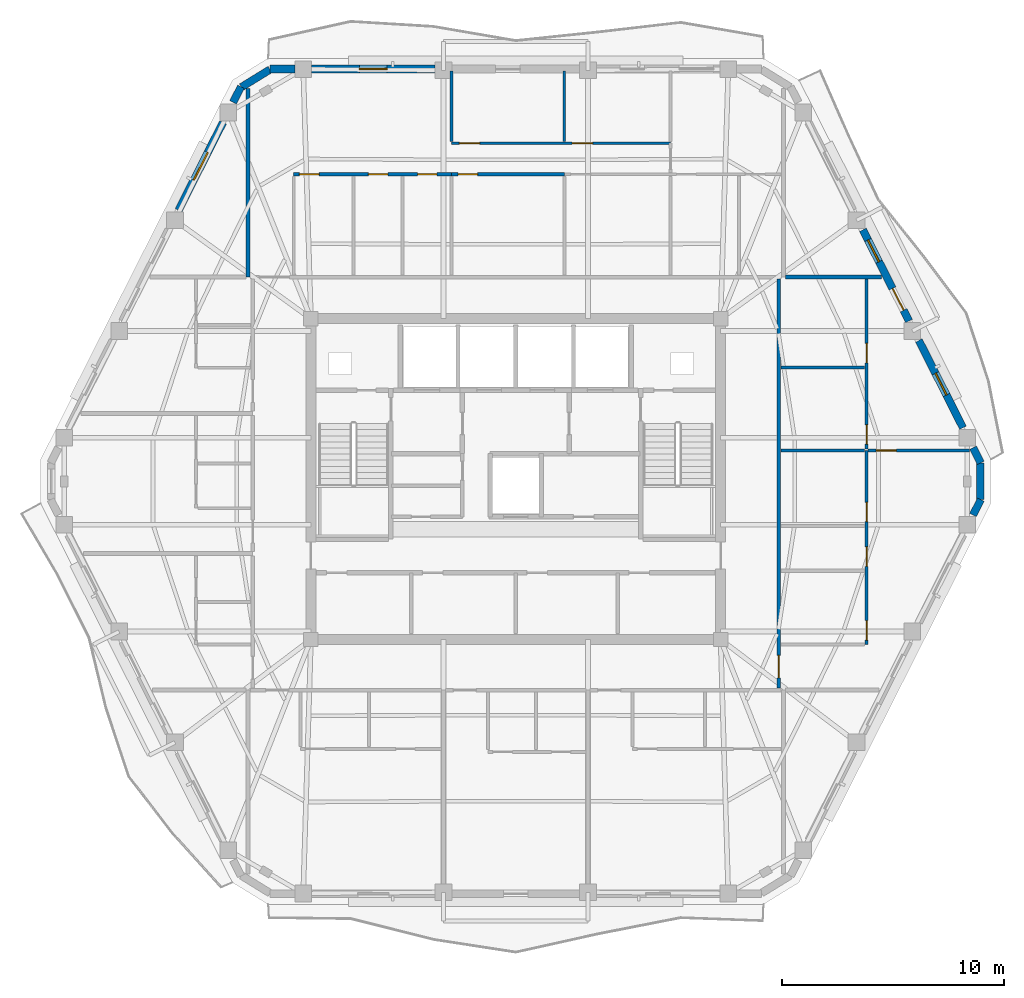
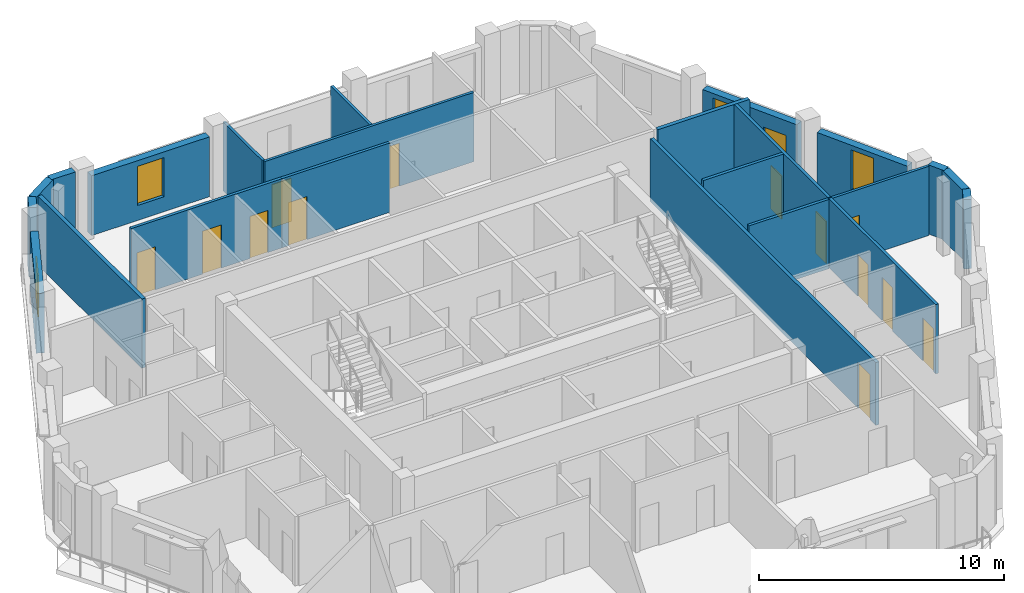
# One storey, part 7 of 11: 23 walls, 14 doors, 4 windows, 18 openings.
"""IFC4 building model written with IfcOpenShell, lengths in metres."""

from ifc_helpers import new_model, si_unit, direction, frame, frame_2d, origin, place, context, subcontext, project, spatial, rectangle, extrude, material, layer, layer_set, type_object, element, fill, save


model = new_model("IFC4")

# Units and contexts
model_context = context("Model", 3, precision=1e-05, world=origin(), true_north=direction((0.0, 1.0)))
body_context = subcontext(model_context, "Body", "Model", "MODEL_VIEW")
ifc_project = project(units=[si_unit("LENGTHUNIT", "METRE"), si_unit("AREAUNIT", "SQUARE_METRE"), si_unit("VOLUMEUNIT", "CUBIC_METRE"), si_unit("PLANEANGLEUNIT", "RADIAN"), si_unit("MASSUNIT", "GRAM", prefix="KILO")], contexts=[model_context])

# Site, building, storey
site_placement = place(None, origin())
site = spatial("IfcSite", under=ifc_project, at=site_placement, CompositionType="ELEMENT")
building_placement = place(site_placement, origin())
building = spatial("IfcBuilding", under=site, at=building_placement, Name="Cinnabar Lancet Tower", CompositionType="ELEMENT")
storey_placement = place(building_placement, frame((0.0, 0.0, 245.25)))
storey = spatial("IfcBuildingStorey", under=building, at=storey_placement, Name="L65", CompositionType="ELEMENT", Elevation=245.25)

# Wall, opening, door
ifc_material_1 = material(Name="Acoustic twin-stud gypsum partition", Category="gypsum")
ifc_layer_1 = layer(ifc_material_1, 0.159912109375)
ifc_layer_set_1 = layer_set([ifc_layer_1], Name="Acoustic twin-stud gypsum partition")
wall_type_1 = type_object("IfcWallType", Name="ARC-WL-CORR-160", PredefinedType="PARTITIONING", material=ifc_layer_set_1)
wall_1_placement = place(storey_placement, frame((44.25, 16.4951171875, 0.0), z_axis=(0.0, 0.0, 1.0), x_axis=(0.0, 1.0, 0.0)))
wall_1 = element("IfcWall", 1, at=wall_1_placement, inside=storey, type_object=wall_type_1, Name="UW-L65-E01-COR", PredefinedType="PARTITIONING", context=body_context, shape_type="SweptSolid", body=[
    extrude(rectangle(XDim=18.409912109375, YDim=0.159912109375, at=frame_2d((9.205078125, 0.0))), origin(), (0.0, 0.0, 1.0), 3.136962890625),
])
opening_1_placement = place(wall_1_placement, frame((0.449951171875, 0.0, 0.0)))
opening_1 = element("IfcOpeningElement", 2, at=opening_1_placement, cuts=wall_1, Name="Opening UD-01", PredefinedType="OPENING", context=body_context, shape_type="SweptSolid", body=[
    extrude(rectangle(XDim=1.02001953125, YDim=2.25, at=frame_2d((0.510009765625, 1.125))), frame((0.0, 0.08984375, 0.0), z_axis=(0.0, -1.0, 0.0), x_axis=(1.0, 0.0, 0.0)), (0.0, 0.0, 1.0), 0.179931640625),
])
ifc_material_2 = material(Name="Solid timber fire-rated apartment entrance door", Category="wood")
door_type_1 = type_object("IfcDoorType", Name="ARC-DR-UNIT", OperationType="NOTDEFINED", PredefinedType="DOOR", material=ifc_material_2)
door_1_placement = place(opening_1_placement, origin())
door_1 = element("IfcDoor", 3, at=door_1_placement, inside=storey, type_object=door_type_1, Name="DR-L65-E01-ENT", OperationType="SINGLE_SWING_LEFT", OverallHeight=2.25, OverallWidth=1.02001953125, PredefinedType="DOOR", context=body_context, shape_type="SweptSolid", body=[
    extrude(rectangle(XDim=1.02001953125, YDim=2.25, at=frame_2d((0.510009765625, 1.125))), frame((0.0, 0.02490234375, 0.0), z_axis=(0.0, -1.0, 0.0), x_axis=(1.0, 0.0, 0.0)), (0.0, 0.0, 1.0), 0.050048828125),
])
fill(opening_1, door_1)

# Walls
ifc_material_3 = material(Name="Fire-rated twin-frame acoustic drywall", Category="gypsum")
ifc_layer_2 = layer(ifc_material_3, 0.179931640625)
ifc_layer_set_2 = layer_set([ifc_layer_2], Name="Fire-rated twin-frame acoustic drywall")
wall_type_2 = type_object("IfcWallType", Name="ARC-WL-PARTY-180", PredefinedType="PARTITIONING", material=ifc_layer_set_2)
wall_2_placement = place(storey_placement, frame((20.35009765625, 35.0, 0.0), z_axis=(0.0, 0.0, 1.0), x_axis=(0.0, 1.0, 0.0)))
element("IfcWall", 4, at=wall_2_placement, inside=storey, type_object=wall_type_2, Name="PW-L65-NPTY-204", PredefinedType="PARTITIONING", context=body_context, shape_type="SweptSolid", body=[
    extrude(rectangle(XDim=8.48095703125, YDim=0.179931640625, at=frame_2d((4.240478515625, 0.0))), origin(), (0.0, 0.0, 1.0), 3.449951171875),
])
wall_3_placement = place(storey_placement, frame((44.544921875, 35.0, 0.0), z_axis=(0.0, 0.0, 1.0), x_axis=(1.0, 0.0, 0.0)))
element("IfcWall", 5, at=wall_3_placement, inside=storey, type_object=wall_type_2, Name="PW-L65-ENB", PredefinedType="PARTITIONING", context=body_context, shape_type="SweptSolid", body=[
    extrude(rectangle(XDim=4.322021484375, YDim=0.179931640625, at=frame_2d((2.1611328125, 0.0))), origin(), (0.0, 0.0, 1.0), 3.449951171875),
])
ifc_material_4 = material(Name="Gypsum plasterboard stud partition", Category="gypsum")
ifc_layer_3 = layer(ifc_material_4, 0.125)
ifc_layer_set_3 = layer_set([ifc_layer_3], Name="Gypsum plasterboard stud partition")
wall_type_3 = type_object("IfcWallType", Name="ARC-WL-UNIT-125", PredefinedType="PARTITIONING", material=ifc_layer_set_3)
wall_4_placement = place(storey_placement, frame((29.508056640625, 41.093994140625, 0.0), z_axis=(0.0, 0.0, 1.0), x_axis=(0.0, 1.0, 0.0)))
element("IfcWall", 6, at=wall_4_placement, inside=storey, type_object=wall_type_3, Name="UW-L65-N01-BD2W", PredefinedType="PARTITIONING", context=body_context, shape_type="SweptSolid", body=[
    extrude(rectangle(XDim=3.19091796875, YDim=0.125, at=frame_2d((1.595458984375, 0.0))), origin(), (0.0, 0.0, 1.0), 3.449951171875),
])

# Wall, openings, doors
wall_5_placement = place(storey_placement, frame((29.508056640625, 41.029052734375, 0.0), z_axis=(0.0, 0.0, 1.0), x_axis=(1.0, 0.0, 0.0)))
wall_5 = element("IfcWall", 7, at=wall_5_placement, inside=storey, type_object=wall_type_3, Name="UW-L65-N01-HLN", PredefinedType="PARTITIONING", context=body_context, shape_type="SweptSolid", body=[
    extrude(rectangle(XDim=9.862060546875, YDim=0.125, at=frame_2d((4.93115234375, 0.0))), origin(), (0.0, 0.0, 1.0), 3.449951171875),
])
opening_2_placement = place(wall_5_placement, frame((0.35009765625, 0.0, 0.0)))
opening_2 = element("IfcOpeningElement", 8, at=opening_2_placement, cuts=wall_5, Name="Opening RD-01", PredefinedType="OPENING", context=body_context, shape_type="SweptSolid", body=[
    extrude(rectangle(XDim=0.919921875, YDim=2.14990234375, at=frame_2d((0.4599609375, 1.074951171875))), frame((0.0, 0.072509765625, 0.0), z_axis=(0.0, -1.0, 0.0), x_axis=(1.0, 0.0, 0.0)), (0.0, 0.0, 1.0), 0.14501953125),
])
opening_3_placement = place(wall_5_placement, frame((5.429931640625, 0.0, 0.0)))
opening_3 = element("IfcOpeningElement", 9, at=opening_3_placement, cuts=wall_5, Name="Opening RD-01", PredefinedType="OPENING", context=body_context, shape_type="SweptSolid", body=[
    extrude(rectangle(XDim=0.919921875, YDim=2.14990234375, at=frame_2d((0.4599609375, 1.074951171875))), frame((0.0, 0.072509765625, 0.0), z_axis=(0.0, -1.0, 0.0), x_axis=(1.0, 0.0, 0.0)), (0.0, 0.0, 1.0), 0.14501953125),
])
ifc_material_5 = material(Name="Engineered timber bedroom door", Category="wood")
door_type_2 = type_object("IfcDoorType", Name="ARC-DR-ROOM", OperationType="NOTDEFINED", PredefinedType="DOOR", material=ifc_material_5)
door_2_placement = place(opening_2_placement, origin())
door_2 = element("IfcDoor", 10, at=door_2_placement, inside=storey, type_object=door_type_2, Name="DR-L65-N01-BD2", OperationType="SINGLE_SWING_RIGHT", OverallHeight=2.14990234375, OverallWidth=0.919921875, PredefinedType="DOOR", context=body_context, shape_type="SweptSolid", body=[
    extrude(rectangle(XDim=0.919921875, YDim=2.14990234375, at=frame_2d((0.4599609375, 1.074951171875))), frame((0.0, 0.02490234375, 0.0), z_axis=(0.0, -1.0, 0.0), x_axis=(1.0, 0.0, 0.0)), (0.0, 0.0, 1.0), 0.050048828125),
])
fill(opening_2, door_2)
door_3_placement = place(opening_3_placement, origin())
door_3 = element("IfcDoor", 11, at=door_3_placement, inside=storey, type_object=door_type_2, Name="DR-L65-N01-BD3", OperationType="SINGLE_SWING_LEFT", OverallHeight=2.14990234375, OverallWidth=0.919921875, PredefinedType="DOOR", context=body_context, shape_type="SweptSolid", body=[
    extrude(rectangle(XDim=0.919921875, YDim=2.14990234375, at=frame_2d((0.4599609375, 1.074951171875))), frame((0.0, 0.02490234375, 0.0), z_axis=(0.0, -1.0, 0.0), x_axis=(1.0, 0.0, 0.0)), (0.0, 0.0, 1.0), 0.050048828125),
])
fill(opening_3, door_3)

# Wall
wall_6_placement = place(storey_placement, frame((34.587890625, 41.093994140625, 0.0), z_axis=(0.0, 0.0, 1.0), x_axis=(0.0, 1.0, 0.0)))
element("IfcWall", 12, at=wall_6_placement, inside=storey, type_object=wall_type_3, Name="UW-L65-N01-MB2W", PredefinedType="PARTITIONING", context=body_context, shape_type="SweptSolid", body=[
    extrude(rectangle(XDim=3.19091796875, YDim=0.125, at=frame_2d((1.595458984375, 0.0))), origin(), (0.0, 0.0, 1.0), 3.449951171875),
])

# Wall, opening, door
wall_7_placement = place(storey_placement, frame((48.27490234375, 27.18798828125, 0.0), z_axis=(0.0, 0.0, 1.0), x_axis=(1.0, 0.0, 0.0)))
wall_7 = element("IfcWall", 13, at=wall_7_placement, inside=storey, type_object=wall_type_3, Name="UW-L65-E01-MBN", PredefinedType="PARTITIONING", context=body_context, shape_type="SweptSolid", body=[
    extrude(rectangle(XDim=4.55810546875, YDim=0.125, at=frame_2d((2.279052734375, 0.0))), origin(), (0.0, 0.0, 1.0), 3.449951171875),
])
opening_4_placement = place(wall_7_placement, frame((0.35009765625, 0.0, 0.0)))
opening_4 = element("IfcOpeningElement", 14, at=opening_4_placement, cuts=wall_7, Name="Opening RD-01", PredefinedType="OPENING", context=body_context, shape_type="SweptSolid", body=[
    extrude(rectangle(XDim=0.919921875, YDim=2.14990234375, at=frame_2d((0.4599609375, 1.074951171875))), frame((0.0, 0.072509765625, 0.0), z_axis=(0.0, -1.0, 0.0), x_axis=(1.0, 0.0, 0.0)), (0.0, 0.0, 1.0), 0.14501953125),
])
door_4_placement = place(opening_4_placement, origin())
door_4 = element("IfcDoor", 15, at=door_4_placement, inside=storey, type_object=door_type_2, Name="DR-L65-E01-MBD", OperationType="SINGLE_SWING_LEFT", OverallHeight=2.14990234375, OverallWidth=0.919921875, PredefinedType="DOOR", context=body_context, shape_type="SweptSolid", body=[
    extrude(rectangle(XDim=0.919921875, YDim=2.14990234375, at=frame_2d((0.4599609375, 1.074951171875))), frame((0.0, 0.02490234375, 0.0), z_axis=(0.0, -1.0, 0.0), x_axis=(1.0, 0.0, 0.0)), (0.0, 0.0, 1.0), 0.050048828125),
])
fill(opening_4, door_4)

# Wall, openings, doors
ifc_material_6 = material(Name="Moisture-resistant cement-board plumbing wall", Category="masonry")
ifc_layer_4 = layer(ifc_material_6, 0.139892578125)
ifc_layer_set_4 = layer_set([ifc_layer_4], Name="Moisture-resistant cement-board plumbing wall")
wall_type_4 = type_object("IfcWallType", Name="ARC-WL-WET-140", PredefinedType="PLUMBINGWALL", material=ifc_layer_set_4)
wall_8_placement = place(storey_placement, frame((22.39990234375, 39.62890625, 0.0), z_axis=(0.0, 0.0, 1.0), x_axis=(1.0, 0.0, 0.0)))
wall_8 = element("IfcWall", 16, at=wall_8_placement, inside=storey, type_object=wall_type_4, Name="UW-L65-N01-SPL", PredefinedType="PLUMBINGWALL", context=body_context, shape_type="SweptSolid", body=[
    extrude(rectangle(XDim=7.108154296875, YDim=0.139892578125, at=frame_2d((3.55419921875, 0.0))), origin(), (0.0, 0.0, 1.0), 3.449951171875),
])
opening_5_placement = place(wall_8_placement, frame((5.58203125, 0.0, 0.0)))
opening_5 = element("IfcOpeningElement", 17, at=opening_5_placement, cuts=wall_8, Name="Opening BD-01", PredefinedType="OPENING", context=body_context, shape_type="SweptSolid", body=[
    extrude(rectangle(XDim=0.860107421875, YDim=2.10009765625, at=frame_2d((0.43017578125, 1.050048828125))), frame((0.0, 0.079833984375, 0.0), z_axis=(0.0, -1.0, 0.0), x_axis=(1.0, 0.0, 0.0)), (0.0, 0.0, 1.0), 0.159912109375),
])
opening_6_placement = place(wall_8_placement, frame((0.260009765625, 0.0, 0.0)))
opening_6 = element("IfcOpeningElement", 18, at=opening_6_placement, cuts=wall_8, Name="Opening RD-02", PredefinedType="OPENING", context=body_context, shape_type="SweptSolid", body=[
    extrude(rectangle(XDim=0.8798828125, YDim=2.14990234375, at=frame_2d((0.43994140625, 1.074951171875))), frame((0.0, 0.079833984375, 0.0), z_axis=(0.0, -1.0, 0.0), x_axis=(1.0, 0.0, 0.0)), (0.0, 0.0, 1.0), 0.159912109375),
])
opening_7_placement = place(wall_8_placement, frame((3.363037109375, 0.0, 0.0)))
opening_7 = element("IfcOpeningElement", 19, at=opening_7_placement, cuts=wall_8, Name="Opening RD-02", PredefinedType="OPENING", context=body_context, shape_type="SweptSolid", body=[
    extrude(rectangle(XDim=0.8798828125, YDim=2.14990234375, at=frame_2d((0.43994140625, 1.074951171875))), frame((0.0, 0.079833984375, 0.0), z_axis=(0.0, -1.0, 0.0), x_axis=(1.0, 0.0, 0.0)), (0.0, 0.0, 1.0), 0.159912109375),
])
ifc_material_7 = material(Name="Moisture-resistant timber bathroom door", Category="wood")
door_type_3 = type_object("IfcDoorType", Name="ARC-DR-BATH", OperationType="NOTDEFINED", PredefinedType="DOOR", material=ifc_material_7)
door_5_placement = place(opening_5_placement, origin())
door_5 = element("IfcDoor", 20, at=door_5_placement, inside=storey, type_object=door_type_3, Name="DR-L65-N01-BTH", OperationType="SINGLE_SWING_RIGHT", OverallHeight=2.10009765625, OverallWidth=0.860107421875, PredefinedType="DOOR", context=body_context, shape_type="SweptSolid", body=[
    extrude(rectangle(XDim=0.860107421875, YDim=2.10009765625, at=frame_2d((0.43017578125, 1.050048828125))), frame((0.0, 0.02490234375, 0.0), z_axis=(0.0, -1.0, 0.0), x_axis=(1.0, 0.0, 0.0)), (0.0, 0.0, 1.0), 0.050048828125),
])
fill(opening_5, door_5)
ifc_material_8 = material(Name="Engineered timber study door", Category="wood")
door_type_4 = type_object("IfcDoorType", Name="ARC-DR-STUDY", OperationType="NOTDEFINED", PredefinedType="DOOR", material=ifc_material_8)
door_6_placement = place(opening_6_placement, origin())
door_6 = element("IfcDoor", 21, at=door_6_placement, inside=storey, type_object=door_type_4, Name="DR-L65-N01-KIT", OperationType="SINGLE_SWING_RIGHT", OverallHeight=2.14990234375, OverallWidth=0.8798828125, PredefinedType="DOOR", context=body_context, shape_type="SweptSolid", body=[
    extrude(rectangle(XDim=0.8798828125, YDim=2.14990234375, at=frame_2d((0.43994140625, 1.074951171875))), frame((0.0, 0.02490234375, 0.0), z_axis=(0.0, -1.0, 0.0), x_axis=(1.0, 0.0, 0.0)), (0.0, 0.0, 1.0), 0.050048828125),
])
fill(opening_6, door_6)
door_7_placement = place(opening_7_placement, origin())
door_7 = element("IfcDoor", 22, at=door_7_placement, inside=storey, type_object=door_type_4, Name="DR-L65-N01-STD", OperationType="SINGLE_SWING_LEFT", OverallHeight=2.14990234375, OverallWidth=0.8798828125, PredefinedType="DOOR", context=body_context, shape_type="SweptSolid", body=[
    extrude(rectangle(XDim=0.8798828125, YDim=2.14990234375, at=frame_2d((0.43994140625, 1.074951171875))), frame((0.0, 0.02490234375, 0.0), z_axis=(0.0, -1.0, 0.0), x_axis=(1.0, 0.0, 0.0)), (0.0, 0.0, 1.0), 0.050048828125),
])
fill(opening_7, door_7)

# Wall, opening, door
wall_9_placement = place(storey_placement, frame((29.508056640625, 39.62890625, 0.0), z_axis=(0.0, 0.0, 1.0), x_axis=(1.0, 0.0, 0.0)))
wall_9 = element("IfcWall", 23, at=wall_9_placement, inside=storey, type_object=wall_type_4, Name="UW-L65-N01-SPM", PredefinedType="PLUMBINGWALL", context=body_context, shape_type="SweptSolid", body=[
    extrude(rectangle(XDim=5.079833984375, YDim=0.139892578125, at=frame_2d((2.5400390625, 0.0))), origin(), (0.0, 0.0, 1.0), 3.449951171875),
])
opening_8_placement = place(wall_9_placement, frame((0.300048828125, 0.0, 0.0)))
opening_8 = element("IfcOpeningElement", 24, at=opening_8_placement, cuts=wall_9, Name="Opening RD-02", PredefinedType="OPENING", context=body_context, shape_type="SweptSolid", body=[
    extrude(rectangle(XDim=0.8798828125, YDim=2.14990234375, at=frame_2d((0.43994140625, 1.074951171875))), frame((0.0, 0.079833984375, 0.0), z_axis=(0.0, -1.0, 0.0), x_axis=(1.0, 0.0, 0.0)), (0.0, 0.0, 1.0), 0.159912109375),
])
door_8_placement = place(opening_8_placement, origin())
door_8 = element("IfcDoor", 25, at=door_8_placement, inside=storey, type_object=door_type_4, Name="DR-L65-N01-UTL", OperationType="SINGLE_SWING_LEFT", OverallHeight=2.14990234375, OverallWidth=0.8798828125, PredefinedType="DOOR", context=body_context, shape_type="SweptSolid", body=[
    extrude(rectangle(XDim=0.8798828125, YDim=2.14990234375, at=frame_2d((0.43994140625, 1.074951171875))), frame((0.0, 0.02490234375, 0.0), z_axis=(0.0, -1.0, 0.0), x_axis=(1.0, 0.0, 0.0)), (0.0, 0.0, 1.0), 0.050048828125),
])
fill(opening_8, door_8)

# Wall, openings, doors
wall_10_placement = place(storey_placement, frame((48.199951171875, 18.449951171875, 0.0), z_axis=(0.0, 0.0, 1.0), x_axis=(0.0, 1.0, 0.0)))
wall_10 = element("IfcWall", 26, at=wall_10_placement, inside=storey, type_object=wall_type_4, Name="UW-L65-E01-SPL", PredefinedType="PLUMBINGWALL", context=body_context, shape_type="SweptSolid", body=[
    extrude(rectangle(XDim=8.738037109375, YDim=0.139892578125, at=frame_2d((4.369140625, 0.0))), origin(), (0.0, 0.0, 1.0), 3.449951171875),
])
opening_9_placement = place(wall_10_placement, frame((0.199951171875, 0.0, 0.0)))
opening_9 = element("IfcOpeningElement", 27, at=opening_9_placement, cuts=wall_10, Name="Opening RD-02", PredefinedType="OPENING", context=body_context, shape_type="SweptSolid", body=[
    extrude(rectangle(XDim=0.8798828125, YDim=2.14990234375, at=frame_2d((0.43994140625, 1.074951171875))), frame((0.0, 0.079833984375, 0.0), z_axis=(0.0, -1.0, 0.0), x_axis=(1.0, 0.0, 0.0)), (0.0, 0.0, 1.0), 0.159912109375),
])
opening_10_placement = place(wall_10_placement, frame((3.52001953125, 0.0, 0.0)))
opening_10 = element("IfcOpeningElement", 28, at=opening_10_placement, cuts=wall_10, Name="Opening RD-02", PredefinedType="OPENING", context=body_context, shape_type="SweptSolid", body=[
    extrude(rectangle(XDim=0.8798828125, YDim=2.14990234375, at=frame_2d((0.43994140625, 1.074951171875))), frame((0.0, 0.079833984375, 0.0), z_axis=(0.0, -1.0, 0.0), x_axis=(1.0, 0.0, 0.0)), (0.0, 0.0, 1.0), 0.159912109375),
])
opening_11_placement = place(wall_10_placement, frame((5.5380859375, 0.0, 0.0)))
opening_11 = element("IfcOpeningElement", 29, at=opening_11_placement, cuts=wall_10, Name="Opening BD-01", PredefinedType="OPENING", context=body_context, shape_type="SweptSolid", body=[
    extrude(rectangle(XDim=0.860107421875, YDim=2.10009765625, at=frame_2d((0.43017578125, 1.050048828125))), frame((0.0, 0.079833984375, 0.0), z_axis=(0.0, -1.0, 0.0), x_axis=(1.0, 0.0, 0.0)), (0.0, 0.0, 1.0), 0.159912109375),
])
door_9_placement = place(opening_11_placement, origin())
door_9 = element("IfcDoor", 30, at=door_9_placement, inside=storey, type_object=door_type_3, Name="DR-L65-E01-BTH", OperationType="SINGLE_SWING_RIGHT", OverallHeight=2.10009765625, OverallWidth=0.860107421875, PredefinedType="DOOR", context=body_context, shape_type="SweptSolid", body=[
    extrude(rectangle(XDim=0.860107421875, YDim=2.10009765625, at=frame_2d((0.43017578125, 1.050048828125))), frame((0.0, 0.02490234375, 0.0), z_axis=(0.0, -1.0, 0.0), x_axis=(1.0, 0.0, 0.0)), (0.0, 0.0, 1.0), 0.050048828125),
])
fill(opening_11, door_9)
door_10_placement = place(opening_9_placement, origin())
door_10 = element("IfcDoor", 31, at=door_10_placement, inside=storey, type_object=door_type_4, Name="DR-L65-E01-KIT", OperationType="SINGLE_SWING_RIGHT", OverallHeight=2.14990234375, OverallWidth=0.8798828125, PredefinedType="DOOR", context=body_context, shape_type="SweptSolid", body=[
    extrude(rectangle(XDim=0.8798828125, YDim=2.14990234375, at=frame_2d((0.43994140625, 1.074951171875))), frame((0.0, 0.02490234375, 0.0), z_axis=(0.0, -1.0, 0.0), x_axis=(1.0, 0.0, 0.0)), (0.0, 0.0, 1.0), 0.050048828125),
])
fill(opening_9, door_10)
door_11_placement = place(opening_10_placement, origin())
door_11 = element("IfcDoor", 32, at=door_11_placement, inside=storey, type_object=door_type_4, Name="DR-L65-E01-UTL", OperationType="SINGLE_SWING_LEFT", OverallHeight=2.14990234375, OverallWidth=0.8798828125, PredefinedType="DOOR", context=body_context, shape_type="SweptSolid", body=[
    extrude(rectangle(XDim=0.8798828125, YDim=2.14990234375, at=frame_2d((0.43994140625, 1.074951171875))), frame((0.0, 0.02490234375, 0.0), z_axis=(0.0, -1.0, 0.0), x_axis=(1.0, 0.0, 0.0)), (0.0, 0.0, 1.0), 0.050048828125),
])
fill(opening_10, door_11)

wall_11_placement = place(storey_placement, frame((48.199951171875, 27.258056640625, 0.0), z_axis=(0.0, 0.0, 1.0), x_axis=(0.0, 1.0, 0.0)))
wall_11 = element("IfcWall", 33, at=wall_11_placement, inside=storey, type_object=wall_type_4, Name="UW-L65-E01-SPM", PredefinedType="PLUMBINGWALL", context=body_context, shape_type="SweptSolid", body=[
    extrude(rectangle(XDim=7.64697265625, YDim=0.139892578125, at=frame_2d((3.823486328125, 0.0))), origin(), (0.0, 0.0, 1.0), 3.449951171875),
])
opening_12_placement = place(wall_11_placement, frame((0.219970703125, 0.0, 0.0)))
opening_12 = element("IfcOpeningElement", 34, at=opening_12_placement, cuts=wall_11, Name="Opening BD-01", PredefinedType="OPENING", context=body_context, shape_type="SweptSolid", body=[
    extrude(rectangle(XDim=0.860107421875, YDim=2.10009765625, at=frame_2d((0.43017578125, 1.050048828125))), frame((0.0, 0.079833984375, 0.0), z_axis=(0.0, -1.0, 0.0), x_axis=(1.0, 0.0, 0.0)), (0.0, 0.0, 1.0), 0.159912109375),
])
opening_13_placement = place(wall_11_placement, frame((3.8798828125, 0.0, 0.0)))
opening_13 = element("IfcOpeningElement", 35, at=opening_13_placement, cuts=wall_11, Name="Opening RD-02", PredefinedType="OPENING", context=body_context, shape_type="SweptSolid", body=[
    extrude(rectangle(XDim=0.8798828125, YDim=2.14990234375, at=frame_2d((0.43994140625, 1.074951171875))), frame((0.0, 0.079833984375, 0.0), z_axis=(0.0, -1.0, 0.0), x_axis=(1.0, 0.0, 0.0)), (0.0, 0.0, 1.0), 0.159912109375),
])
door_12_placement = place(opening_12_placement, origin())
door_12 = element("IfcDoor", 36, at=door_12_placement, inside=storey, type_object=door_type_3, Name="DR-L65-E01-ENS", OperationType="SINGLE_SWING_LEFT", OverallHeight=2.10009765625, OverallWidth=0.860107421875, PredefinedType="DOOR", context=body_context, shape_type="SweptSolid", body=[
    extrude(rectangle(XDim=0.860107421875, YDim=2.10009765625, at=frame_2d((0.43017578125, 1.050048828125))), frame((0.0, 0.02490234375, 0.0), z_axis=(0.0, -1.0, 0.0), x_axis=(1.0, 0.0, 0.0)), (0.0, 0.0, 1.0), 0.050048828125),
])
fill(opening_12, door_12)
door_13_placement = place(opening_13_placement, origin())
door_13 = element("IfcDoor", 37, at=door_13_placement, inside=storey, type_object=door_type_4, Name="DR-L65-E01-EWDR", OperationType="SINGLE_SWING_RIGHT", OverallHeight=2.14990234375, OverallWidth=0.8798828125, PredefinedType="DOOR", context=body_context, shape_type="SweptSolid", body=[
    extrude(rectangle(XDim=0.8798828125, YDim=2.14990234375, at=frame_2d((0.43994140625, 1.074951171875))), frame((0.0, 0.02490234375, 0.0), z_axis=(0.0, -1.0, 0.0), x_axis=(1.0, 0.0, 0.0)), (0.0, 0.0, 1.0), 0.050048828125),
])
fill(opening_13, door_13)

# Walls
for number, where, z_axis, x_axis, name in (
    (38, (44.3349609375, 27.18798828125, 0.0), (0.0, 0.0, 1.0), (1.0, 0.0, 0.0), "UW-L65-E01-ENSN"),
    (39, (44.3349609375, 30.91796875, 0.0), (0.0, 0.0, 1.0), (1.0, 0.0, 0.0), "UW-L65-E01-EWDV"),
):
    element("IfcWall", number, at=place(storey_placement, frame(where, z_axis=z_axis, x_axis=x_axis)), inside=storey, type_object=wall_type_4, Name=name, PredefinedType="PLUMBINGWALL", context=body_context, shape_type="SweptSolid", body=[
        extrude(rectangle(XDim=3.780029296875, YDim=0.139892578125, at=frame_2d((1.89013671875, 0.0))), origin(), (0.0, 0.0, 1.0), 3.449951171875),
    ])
ifc_material_9 = material(Name="Cinnabar red clay brick", Category="masonry")
ifc_layer_5 = layer(ifc_material_9, 0.340087890625)
ifc_layer_set_5 = layer_set([ifc_layer_5], Name="Cinnabar red clay brick")
wall_type_5 = type_object("IfcWallType", Name="ENV-WL-BRK-RED-340", PredefinedType="STANDARD", material=ifc_layer_set_5)
wall_12_placement = place(storey_placement, frame((53.322998046875, 24.97998046875, 0.0), z_axis=(0.0, 0.0, 1.0), x_axis=(0.0, 1.0, 0.0)))
element("IfcWall", 40, at=wall_12_placement, inside=storey, type_object=wall_type_5, Name="L65 Chamfered Corner Brick Pier 3.1", PredefinedType="STANDARD", context=body_context, shape_type="SweptSolid", body=[
    extrude(rectangle(XDim=1.64013671875, YDim=0.340087890625, at=frame_2d((0.820068359375, 0.0))), origin(), (0.0, 0.0, 1.0), 3.449951171875),
])
wall_13_placement = place(storey_placement, frame((21.3310546875, 44.344970703125, 0.0), z_axis=(0.0, 0.0, 1.0), x_axis=(-0.851680557619, -0.52406128246, 0.0)))
element("IfcWall", 41, at=wall_13_placement, inside=storey, type_object=wall_type_5, Name="L65 Chamfered Corner Brick Pier 5.1", PredefinedType="STANDARD", context=body_context, shape_type="SweptSolid", body=[
    extrude(rectangle(XDim=1.507568359375, YDim=0.340087890625, at=frame_2d((0.75390625, 0.0))), origin(), (0.0, 0.0, 1.0), 3.449951171875),
])
for number, where, z_axis, x_axis, name in (
    (42, (52.99609375, 24.283935546875, 0.0), (0.0, 0.0, 1.0), (0.45075284655, 0.892648795063, 0.0), "L65 Face 2 Masonry Bay Wall 5"),
    (43, (53.343994140625, 26.626953125, 0.0), (0.0, 0.0, 1.0), (-0.45075284655, 0.892648795063, 0.0), "L65 Face 3 Masonry Bay Wall 1"),
):
    element("IfcWall", number, at=place(storey_placement, frame(where, z_axis=z_axis, x_axis=x_axis)), inside=storey, type_object=wall_type_5, Name=name, PredefinedType="STANDARD", context=body_context, shape_type="SweptSolid", body=[
        extrude(rectangle(XDim=0.771728515625, YDim=0.340087890625, at=frame_2d((0.3857421875, 0.0))), origin(), (0.0, 0.0, 1.0), 3.449951171875),
    ])

# Wall, opening, window
wall_14_placement = place(storey_placement, frame((52.54296875, 28.2109375, 0.0), z_axis=(0.0, 0.0, 1.0), x_axis=(-0.451285866323, 0.892379441077, 0.0)))
wall_14 = element("IfcWall", 44, at=wall_14_placement, inside=storey, type_object=wall_type_5, Name="L65 Face 3 Masonry Bay Wall 2", PredefinedType="STANDARD", context=body_context, shape_type="SweptSolid", body=[
    extrude(rectangle(XDim=4.407470703125, YDim=0.340087890625, at=frame_2d((2.20361328125, 0.0))), origin(), (0.0, 0.0, 1.0), 2.98291015625),
])
opening_14_placement = place(wall_14_placement, frame((1.654052734375, 0.0, 0.75)))
opening_14 = element("IfcOpeningElement", 45, at=opening_14_placement, cuts=wall_14, Name="Opening WN-04", PredefinedType="OPENING", context=body_context, shape_type="SweptSolid", body=[
    extrude(rectangle(XDim=1.10009765625, YDim=2.0, at=frame_2d((0.550048828125, 1.0))), frame((0.0, 0.179931640625, 0.0), z_axis=(0.0, -1.0, 0.0), x_axis=(1.0, 0.0, 0.0)), (0.0, 0.0, 1.0), 0.360107421875),
])
ifc_material_10 = material(Name="Thermally broken bronze-anodized aluminium tall lancet window", Category="aluminium")
window_type_1 = type_object("IfcWindowType", Name="ENV-WN-LANCET-1100", PartitioningType="SINGLE_PANEL", PredefinedType="WINDOW", material=ifc_material_10)
window_1_placement = place(opening_14_placement, origin())
window_1 = element("IfcWindow", 46, at=window_1_placement, inside=storey, type_object=window_type_1, Name="L65 Face 3 Gothic Lancet Window 2", OverallHeight=2.0, OverallWidth=1.10009765625, PartitioningType="SINGLE_PANEL", PredefinedType="WINDOW", context=body_context, shape_type="SweptSolid", body=[
    extrude(rectangle(XDim=1.10009765625, YDim=2.0, at=frame_2d((0.550048828125, 1.0))), frame((0.0, 0.030029296875, 0.0), z_axis=(0.0, -1.0, 0.0), x_axis=(1.0, 0.0, 0.0)), (0.0, 0.0, 1.0), 0.06005859375),
])
fill(opening_14, window_1)

# Wall, openings, door, window
wall_15_placement = place(storey_placement, frame((50.10888671875, 33.02294921875, 0.0), z_axis=(0.0, 0.0, 1.0), x_axis=(-0.451539564999, 0.892251097641, 0.0)))
wall_15 = element("IfcWall", 47, at=wall_15_placement, inside=storey, type_object=wall_type_5, Name="L65 Face 3 Masonry Bay Wall 3", PredefinedType="STANDARD", context=body_context, shape_type="SweptSolid", body=[
    extrude(rectangle(XDim=4.599609375, YDim=0.340087890625, at=frame_2d((2.2998046875, 0.0))), origin(), (0.0, 0.0, 1.0), 2.98291015625),
])
opening_15_placement = place(wall_15_placement, frame((0.5419921875, 0.0, 0.0)))
opening_15 = element("IfcOpeningElement", 48, at=opening_15_placement, cuts=wall_15, Name="Opening TD-01", PredefinedType="OPENING", context=body_context, shape_type="SweptSolid", body=[
    extrude(rectangle(XDim=1.10009765625, YDim=2.25, at=frame_2d((0.550048828125, 1.125))), frame((0.0, 0.179931640625, 0.0), z_axis=(0.0, -1.0, 0.0), x_axis=(1.0, 0.0, 0.0)), (0.0, 0.0, 1.0), 0.360107421875),
])
opening_16_placement = place(wall_15_placement, frame((2.988037109375, 0.0, 0.75)))
opening_16 = element("IfcOpeningElement", 49, at=opening_16_placement, cuts=wall_15, Name="Opening WN-04", PredefinedType="OPENING", context=body_context, shape_type="SweptSolid", body=[
    extrude(rectangle(XDim=1.10009765625, YDim=2.0, at=frame_2d((0.550048828125, 1.0))), frame((0.0, 0.179931640625, 0.0), z_axis=(0.0, -1.0, 0.0), x_axis=(1.0, 0.0, 0.0)), (0.0, 0.0, 1.0), 0.360107421875),
])
ifc_material_11 = material(Name="Thermally broken low-E glazed balcony terrace door", Category="wood")
door_type_5 = type_object("IfcDoorType", Name="ARC-DR-BALC", OperationType="NOTDEFINED", PredefinedType="DOOR", material=ifc_material_11)
door_14_placement = place(opening_15_placement, origin())
door_14 = element("IfcDoor", 50, at=door_14_placement, inside=storey, type_object=door_type_5, Name="L65 Face 3 Glazed Terrace Door", OperationType="SINGLE_SWING_LEFT", OverallHeight=2.25, OverallWidth=1.10009765625, PredefinedType="DOOR", context=body_context, shape_type="SweptSolid", body=[
    extrude(rectangle(XDim=1.10009765625, YDim=2.25, at=frame_2d((0.550048828125, 1.125))), frame((0.0, 0.02490234375, 0.0), z_axis=(0.0, -1.0, 0.0), x_axis=(1.0, 0.0, 0.0)), (0.0, 0.0, 1.0), 0.050048828125),
])
fill(opening_15, door_14)
window_2_placement = place(opening_16_placement, origin())
window_2 = element("IfcWindow", 51, at=window_2_placement, inside=storey, type_object=window_type_1, Name="L65 Split-Bay Gothic Lancet Window 229", OverallHeight=2.0, OverallWidth=1.10009765625, PartitioningType="SINGLE_PANEL", PredefinedType="WINDOW", context=body_context, shape_type="SweptSolid", body=[
    extrude(rectangle(XDim=1.10009765625, YDim=2.0, at=frame_2d((0.550048828125, 1.0))), frame((0.0, 0.030029296875, 0.0), z_axis=(0.0, -1.0, 0.0), x_axis=(1.0, 0.0, 0.0)), (0.0, 0.0, 1.0), 0.06005859375),
])
fill(opening_16, window_2)

# Wall, opening, window
wall_16_placement = place(storey_placement, frame((28.76708984375, 44.3701171875, 0.0), z_axis=(0.0, 0.0, 1.0), x_axis=(-1.0, 0.0, 0.0)))
wall_16 = element("IfcWall", 52, at=wall_16_placement, inside=storey, type_object=wall_type_5, Name="L65 Face 4 Masonry Bay Wall 4", PredefinedType="STANDARD", context=body_context, shape_type="SweptSolid", body=[
    extrude(rectangle(XDim=5.56005859375, YDim=0.340087890625, at=frame_2d((2.780029296875, 0.0))), origin(), (0.0, 0.0, 1.0), 2.98291015625),
])
opening_17_placement = place(wall_16_placement, frame((2.155029296875, 0.0, 0.75)))
opening_17 = element("IfcOpeningElement", 53, at=opening_17_placement, cuts=wall_16, Name="Opening WN-03", PredefinedType="OPENING", context=body_context, shape_type="SweptSolid", body=[
    extrude(rectangle(XDim=1.25, YDim=1.949951171875, at=frame_2d((0.625, 0.97509765625))), frame((0.0, 0.179931640625, 0.0), z_axis=(0.0, -1.0, 0.0), x_axis=(1.0, 0.0, 0.0)), (0.0, 0.0, 1.0), 0.360107421875),
])
ifc_material_12 = material(Name="Thermally broken bronze-anodized aluminium low-E double glazing", Category="aluminium")
window_type_2 = type_object("IfcWindowType", Name="ENV-WN-LANCET-1250", PartitioningType="SINGLE_PANEL", PredefinedType="WINDOW", material=ifc_material_12)
window_3_placement = place(opening_17_placement, origin())
window_3 = element("IfcWindow", 54, at=window_3_placement, inside=storey, type_object=window_type_2, Name="L65 Face 4 Gothic Lancet Window 4", OverallHeight=1.949951171875, OverallWidth=1.25, PartitioningType="SINGLE_PANEL", PredefinedType="WINDOW", context=body_context, shape_type="SweptSolid", body=[
    extrude(rectangle(XDim=1.25, YDim=1.949951171875, at=frame_2d((0.625, 0.97509765625))), frame((0.0, 0.030029296875, 0.0), z_axis=(0.0, -1.0, 0.0), x_axis=(1.0, 0.0, 0.0)), (0.0, 0.0, 1.0), 0.06005859375),
])
fill(opening_17, window_3)

# Walls
wall_17_placement = place(storey_placement, frame((22.448974609375, 44.3701171875, 0.0), z_axis=(0.0, 0.0, 1.0), x_axis=(-1.0, 0.0, 0.0)))
element("IfcWall", 55, at=wall_17_placement, inside=storey, type_object=wall_type_5, Name="L65 Face 4 Masonry Bay Wall 5", PredefinedType="STANDARD", context=body_context, shape_type="SweptSolid", body=[
    extrude(rectangle(XDim=1.123046875, YDim=0.340087890625, at=frame_2d((0.5615234375, 0.0))), origin(), (0.0, 0.0, 1.0), 3.449951171875),
])
wall_18_placement = place(storey_placement, frame((20.027099609375, 43.571044921875, 0.0), z_axis=(0.0, 0.0, 1.0), x_axis=(-0.451404919072, -0.89231922485, 0.0)))
element("IfcWall", 56, at=wall_18_placement, inside=storey, type_object=wall_type_5, Name="L65 Face 5 Masonry Bay Wall 1", PredefinedType="STANDARD", context=body_context, shape_type="SweptSolid", body=[
    extrude(rectangle(XDim=0.791259765625, YDim=0.340087890625, at=frame_2d((0.3955078125, 0.0))), origin(), (0.0, 0.0, 1.0), 3.449951171875),
])

# Wall, opening, window
wall_19_placement = place(storey_placement, frame((19.214111328125, 41.962890625, 0.0), z_axis=(0.0, 0.0, 1.0), x_axis=(-0.451463046281, -0.89228981718, 0.0)))
wall_19 = element("IfcWall", 57, at=wall_19_placement, inside=storey, type_object=wall_type_5, Name="L65 Face 5 Masonry Bay Wall 2", PredefinedType="STANDARD", context=body_context, shape_type="SweptSolid", body=[
    extrude(rectangle(XDim=4.429931640625, YDim=0.340087890625, at=frame_2d((2.21484375, 0.0))), origin(), (0.0, 0.0, 1.0), 2.98291015625),
])
opening_18_placement = place(wall_19_placement, frame((1.514892578125, 0.0, 0.75)))
opening_18 = element("IfcOpeningElement", 58, at=opening_18_placement, cuts=wall_19, Name="Opening WN-02", PredefinedType="OPENING", context=body_context, shape_type="SweptSolid", body=[
    extrude(rectangle(XDim=1.39990234375, YDim=2.050048828125, at=frame_2d((0.699951171875, 1.02490234375))), frame((0.0, 0.179931640625, 0.0), z_axis=(0.0, -1.0, 0.0), x_axis=(1.0, 0.0, 0.0)), (0.0, 0.0, 1.0), 0.360107421875),
])
ifc_material_13 = material(Name="Thermally broken bronze-anodized aluminium low-E double glazing", Category="aluminium")
window_type_3 = type_object("IfcWindowType", Name="ENV-WN-LANCET-1400", PartitioningType="SINGLE_PANEL", PredefinedType="WINDOW", material=ifc_material_13)
window_4_placement = place(opening_18_placement, origin())
window_4 = element("IfcWindow", 59, at=window_4_placement, inside=storey, type_object=window_type_3, Name="L65 Face 5 Gothic Lancet Window 2", OverallHeight=2.050048828125, OverallWidth=1.39990234375, PartitioningType="SINGLE_PANEL", PredefinedType="WINDOW", context=body_context, shape_type="SweptSolid", body=[
    extrude(rectangle(XDim=1.39990234375, YDim=2.050048828125, at=frame_2d((0.699951171875, 1.02490234375))), frame((0.0, 0.030029296875, 0.0), z_axis=(0.0, -1.0, 0.0), x_axis=(1.0, 0.0, 0.0)), (0.0, 0.0, 1.0), 0.06005859375),
])
fill(opening_18, window_4)

save(model, "model.ifc")
